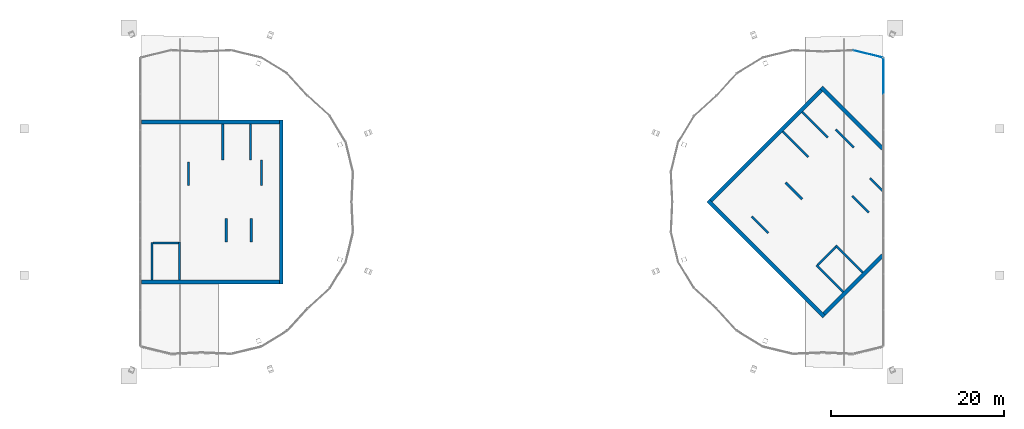
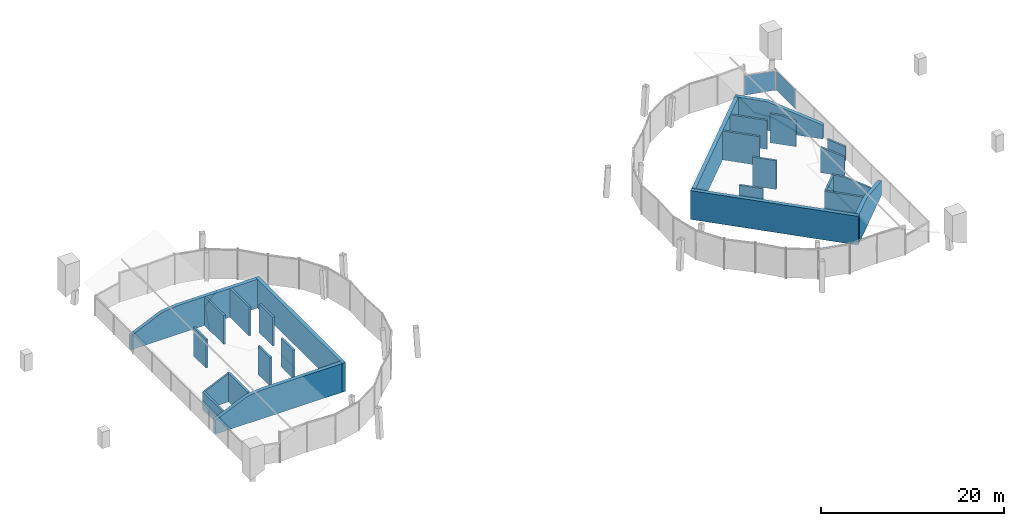
# One storey, part 13 of 14: 26 walls, 2 plates, 2 elements without a shape of their own.
"""IFC4 building model written with IfcOpenShell, lengths in metres."""

from ifc_helpers import new_model, si_unit, direction, frame, origin, origin_2d, place, context, subcontext, project, spatial, polyline, rectangle, outline, extrude, material, layer, layer_set, type_object, element, aggregate, save


model = new_model("IFC4")

# Units and contexts
model_context = context("Model", 3, precision=1e-05, world=origin(), true_north=direction((0.0, 1.0)))
body_context = subcontext(model_context, "Body", "Model", "MODEL_VIEW")
ifc_project = project(units=[si_unit("LENGTHUNIT", "METRE"), si_unit("AREAUNIT", "SQUARE_METRE"), si_unit("VOLUMEUNIT", "CUBIC_METRE"), si_unit("PLANEANGLEUNIT", "RADIAN"), si_unit("MASSUNIT", "GRAM", prefix="KILO")], contexts=[model_context])

# Site, building, storey
site_placement = place(None, origin())
site = spatial("IfcSite", under=ifc_project, at=site_placement, CompositionType="ELEMENT")
building_placement = place(site_placement, origin())
building = spatial("IfcBuilding", under=site, at=building_placement, Name="Ogive Gate Towers", CompositionType="ELEMENT")
storey_placement = place(building_placement, frame((0.0, 0.0, 306.0)))
storey = spatial("IfcBuildingStorey", under=building, at=storey_placement, Name="L72", CompositionType="ELEMENT", Elevation=306.0)

# Curtain wall, plate
ifc_material_1 = material(Name="Pale metal aluminium", Category="aluminium")
curtain_wall_type = type_object("IfcCurtainWallType", Name="Crown lean wall", PredefinedType="NOTDEFINED", material=ifc_material_1)
curtain_wall_1_placement = place(storey_placement, origin())
curtain_wall_1 = element("IfcCurtainWall", 1, at=curtain_wall_1_placement, inside=storey, type_object=curtain_wall_type, Name="CW5 T2 ECW02", PredefinedType="NOTDEFINED")
ifc_material_2 = material(Name="Clear glass", Category="glass")
ifc_layer_1 = layer(ifc_material_2, 0.028076171875)
ifc_layer_set_1 = layer_set([ifc_layer_1], Name="Crown lean wall glass panel")
plate_type = type_object("IfcPlateType", Name="Crown lean wall glass panel", PredefinedType="CURTAIN_PANEL", material=ifc_layer_set_1)
plate_1_placement = place(storey_placement, frame((41.21240234375, 17.159423828125, -0.300048828125), z_axis=(0.0, 0.0, 1.0), x_axis=(0.971829520864, -0.23568492183, 0.0)))
plate_1 = element("IfcPlate", 2, at=plate_1_placement, type_object=plate_type, Name="CW5 glass panel", PredefinedType="CURTAIN_PANEL", context=body_context, shape_type="SweptSolid", body=[
    extrude(rectangle(XDim=3.50048828125, YDim=0.028076171875, at=origin_2d()), origin(), (0.0, 0.0, 1.0), 2.58154296875),
])
aggregate(curtain_wall_1, [plate_1])

curtain_wall_2_placement = place(storey_placement, origin())
curtain_wall_2 = element("IfcCurtainWall", 3, at=curtain_wall_2_placement, inside=storey, type_object=curtain_wall_type, Name="CW5 T2 ECW02b", PredefinedType="NOTDEFINED")
plate_2_placement = place(storey_placement, frame((43.029296875, 14.5986328125, -0.300048828125), z_axis=(0.0, 0.0, 1.0), x_axis=(0.0, -1.0, 0.0)))
plate_2 = element("IfcPlate", 4, at=plate_2_placement, type_object=plate_type, Name="CW5 glass panel", PredefinedType="CURTAIN_PANEL", context=body_context, shape_type="SweptSolid", body=[
    extrude(rectangle(XDim=4.126953125, YDim=0.028076171875, at=origin_2d()), origin(), (0.0, 0.0, 1.0), 2.583984375),
])
aggregate(curtain_wall_2, [plate_2])

# Walls
ifc_material_3 = material(Name="Concrete C60/75", Category="concrete")
ifc_layer_2 = layer(ifc_material_3, 0.449951171875)
ifc_layer_set_2 = layer_set([ifc_layer_2], Name="Core wall 450 mm")
wall_type_1 = type_object("IfcWallType", Name="Core wall 450 mm", PredefinedType="SHEAR", material=ifc_layer_set_2)
for number, where, z_axis, x_axis, name in (
    (5, (-42.929443359375, -9.27490234375, -0.300048828125), (0.0, 0.0, 1.0), (1.0, 0.0, 0.0), "T1 L72 Core wall 450 mm"),
    (6, (-42.929443359375, 9.27490234375, -0.300048828125), (0.0, 0.0, 1.0), (1.0, 0.0, 0.0), "T1 L72 Core wall 450 mm"),
):
    element("IfcWall", number, at=place(storey_placement, frame(where, z_axis=z_axis, x_axis=x_axis)), inside=storey, type_object=wall_type_1, Name=name, PredefinedType="SHEAR", context=body_context, shape_type="SweptSolid", body=[
        extrude(outline(polyline([(0.0, 0.0), (15.9794921875, 0.0), (15.9794921875, 3.85009765625), (13.98193359375, 3.85009765625), (11.984619140625, 3.85009765625), (9.987060546875, 3.85009765625), (7.98974609375, 3.85009765625), (5.9921875, 3.85009765625), (3.994873046875, 3.63720703125), (1.997314453125, 2.74365234375), (0.0, 1.85009765625), (0.0, 0.0)])), frame((0.0, 0.22509765625, 0.0), z_axis=(0.0, -1.0, 0.0), x_axis=(1.0, 0.0, 0.0)), (0.0, 0.0, 1.0), 0.449951171875),
    ])
wall_1_placement = place(storey_placement, frame((-26.72509765625, -9.5, -0.300048828125), z_axis=(0.0, 0.0, 1.0), x_axis=(0.0, 1.0, 0.0)))
element("IfcWall", 7, at=wall_1_placement, inside=storey, type_object=wall_type_1, Name="T1 L72 Core wall 450 mm", PredefinedType="SHEAR", context=body_context, shape_type="SweptSolid", body=[
    extrude(outline(polyline([(0.0, 0.0), (19.0, 0.0), (19.0, 3.85009765625), (16.625, 3.85009765625), (14.25, 3.85009765625), (11.875, 3.85009765625), (9.5, 3.85009765625), (7.125, 3.85009765625), (4.75, 3.85009765625), (2.375, 3.85009765625), (0.0, 3.85009765625), (0.0, 0.0)])), frame((0.0, 0.22509765625, 0.0), z_axis=(0.0, -1.0, 0.0), x_axis=(1.0, 0.0, 0.0)), (0.0, 0.0, 1.0), 0.449951171875),
])
wall_2_placement = place(storey_placement, frame((36.1591796875, -12.957763671875, -0.300048828125), z_axis=(0.0, 0.0, 1.0), x_axis=(0.707106781187, 0.707106781187, 0.0)))
element("IfcWall", 8, at=wall_2_placement, inside=storey, type_object=wall_type_1, Name="T2 L72 Core wall 450 mm", PredefinedType="SHEAR", context=body_context, shape_type="SweptSolid", body=[
    extrude(outline(polyline([(0.0, 0.0), (9.57470703125, 0.0), (9.57470703125, 1.85009765625), (8.377685546875, 2.228759765625), (7.180908203125, 2.607177734375), (5.984130859375, 2.98583984375), (4.787353515625, 3.364501953125), (3.590576171875, 3.7431640625), (2.393798828125, 3.85009765625), (1.19677734375, 3.85009765625), (0.0, 3.85009765625), (0.0, 0.0)])), frame((0.0, 0.22509765625, 0.0), z_axis=(0.0, -1.0, 0.0), x_axis=(1.0, 0.0, 0.0)), (0.0, 0.0, 1.0), 0.449951171875),
])
wall_3_placement = place(storey_placement, frame((23.042236328125, 0.1591796875, -0.300048828125), z_axis=(0.0, 0.0, 1.0), x_axis=(0.707106781187, 0.707106781187, 0.0)))
element("IfcWall", 9, at=wall_3_placement, inside=storey, type_object=wall_type_1, Name="T2 L72 Core wall 450 mm", PredefinedType="SHEAR", context=body_context, shape_type="SweptSolid", body=[
    extrude(outline(polyline([(0.0, 0.0), (18.099853515625, 0.0), (18.10009765625, 3.85009765625), (15.83740234375, 3.85009765625), (13.574951171875, 3.85009765625), (11.3125, 3.85009765625), (9.050048828125, 3.85009765625), (6.78759765625, 3.85009765625), (4.52490234375, 3.85009765625), (2.262451171875, 3.85009765625), (0.0, 3.85009765625), (0.0, 0.0)])), frame((0.0, 0.22509765625, 0.0), z_axis=(0.0, -1.0, 0.0), x_axis=(1.0, 0.0, 0.0)), (0.0, 0.0, 1.0), 0.449951171875),
])
wall_4_placement = place(storey_placement, frame((36.1591796875, -13.27587890625, -0.300048828125), z_axis=(0.0, 0.0, 1.0), x_axis=(-0.707106781187, 0.707106781187, 0.0)))
element("IfcWall", 10, at=wall_4_placement, inside=storey, type_object=wall_type_1, Name="T2 L72 Core wall 450 mm", PredefinedType="SHEAR", context=body_context, shape_type="SweptSolid", body=[
    extrude(outline(polyline([(0.0, 0.0), (19.0, 0.0), (19.0, 3.85009765625), (16.625, 3.85009765625), (14.25, 3.85009765625), (11.875, 3.85009765625), (9.5, 3.85009765625), (7.125, 3.85009765625), (4.75, 3.85009765625), (2.375, 3.85009765625), (0.0, 3.85009765625), (0.0, 0.0)])), frame((0.0, 0.22509765625, 0.0), z_axis=(0.0, -1.0, 0.0), x_axis=(1.0, 0.0, 0.0)), (0.0, 0.0, 1.0), 0.449951171875),
])
wall_5_placement = place(storey_placement, frame((42.929443359375, 6.1875, -0.300048828125), z_axis=(0.0, 0.0, 1.0), x_axis=(-0.707118958091, 0.707094604072, 0.0)))
element("IfcWall", 11, at=wall_5_placement, inside=storey, type_object=wall_type_1, Name="T2 L72 Core wall 450 mm", PredefinedType="SHEAR", context=body_context, shape_type="SweptSolid", body=[
    extrude(outline(polyline([(0.0, 0.0), (10.024658203125, 0.0), (10.024658203125, 3.85009765625), (8.771484375, 3.85009765625), (7.5185546875, 3.85009765625), (6.265380859375, 3.83203125), (5.01220703125, 3.435546875), (3.75927734375, 3.039306640625), (2.506103515625, 2.642822265625), (1.253173828125, 2.246337890625), (0.0, 1.85009765625), (0.0, 0.0)])), frame((0.0, 0.22509765625, 0.0), z_axis=(0.0, -1.0, 0.0), x_axis=(1.0, 0.0, 0.0)), (0.0, 0.0, 1.0), 0.449951171875),
])
ifc_layer_3 = layer(ifc_material_3, 0.25)
ifc_layer_set_3 = layer_set([ifc_layer_3], Name="Shaft wall 250 mm")
wall_type_2 = type_object("IfcWallType", Name="Shaft wall 250 mm", PredefinedType="SHEAR", material=ifc_layer_set_3)
wall_6_placement = place(storey_placement, frame((-41.574951171875, -4.75, -0.300048828125), z_axis=(0.0, 0.0, 1.0), x_axis=(1.0, 0.0, 0.0)))
element("IfcWall", 12, at=wall_6_placement, inside=storey, type_object=wall_type_2, Name="T1 L72 Shaft wall 250 mm", PredefinedType="SHEAR", context=body_context, shape_type="SweptSolid", body=[
    extrude(outline(polyline([(0.0, 0.0), (2.949951171875, 0.0), (2.949951171875, 3.775634765625), (2.581298828125, 3.61083984375), (2.21240234375, 3.44580078125), (1.84375, 3.28076171875), (1.47509765625, 3.115966796875), (1.106201171875, 2.950927734375), (0.737548828125, 2.785888671875), (0.368896484375, 2.620849609375), (0.0, 2.4560546875), (0.0, 0.0)])), frame((0.0, 0.125, 0.0), z_axis=(0.0, -1.0, 0.0), x_axis=(1.0, 0.0, 0.0)), (0.0, 0.0, 1.0), 0.25),
])
wall_7_placement = place(storey_placement, frame((-41.699951171875, -9.050048828125, -0.300048828125), z_axis=(0.0, 0.0, 1.0), x_axis=(0.0, 1.0, 0.0)))
element("IfcWall", 13, at=wall_7_placement, inside=storey, type_object=wall_type_2, Name="T1 L72 Shaft wall 250 mm", PredefinedType="SHEAR", context=body_context, shape_type="SweptSolid", body=[
    extrude(outline(polyline([(0.0, 0.0), (4.375, 0.0), (4.375, 2.400146484375), (3.828125, 2.400146484375), (3.28125, 2.400146484375), (2.734375, 2.400146484375), (2.1875, 2.400146484375), (1.640625, 2.400146484375), (1.09375, 2.400146484375), (0.546875, 2.400146484375), (0.0, 2.400146484375), (0.0, 0.0)])), frame((0.0, 0.125, 0.0), z_axis=(0.0, -1.0, 0.0), x_axis=(1.0, 0.0, 0.0)), (0.0, 0.0, 1.0), 0.25),
])
wall_8_placement = place(storey_placement, frame((-38.5, -9.050048828125, -0.300048828125), z_axis=(0.0, 0.0, 1.0), x_axis=(0.0, 1.0, 0.0)))
element("IfcWall", 14, at=wall_8_placement, inside=storey, type_object=wall_type_2, Name="T1 L72 Shaft wall 250 mm", PredefinedType="SHEAR", context=body_context, shape_type="SweptSolid", body=[
    extrude(outline(polyline([(0.0, 0.0), (4.425048828125, 0.0), (4.425048828125, 3.83154296875), (3.871826171875, 3.83154296875), (3.31884765625, 3.83154296875), (2.765625, 3.83154296875), (2.21240234375, 3.83154296875), (1.659423828125, 3.83154296875), (1.106201171875, 3.83154296875), (0.552978515625, 3.83154296875), (0.0, 3.83154296875), (0.0, 0.0)])), frame((0.0, 0.125, 0.0), z_axis=(0.0, -1.0, 0.0), x_axis=(1.0, 0.0, 0.0)), (0.0, 0.0, 1.0), 0.25),
])
wall_9_placement = place(storey_placement, frame((-37.449951171875, 1.925048828125, -0.300048828125), z_axis=(0.0, 0.0, 1.0), x_axis=(0.0, 1.0, 0.0)))
element("IfcWall", 15, at=wall_9_placement, inside=storey, type_object=wall_type_2, Name="T1 L72 Shaft wall 250 mm", PredefinedType="SHEAR", context=body_context, shape_type="SweptSolid", body=[
    extrude(outline(polyline([(0.0, 0.0), (2.699951171875, 0.0), (2.699951171875, 3.85009765625), (2.362548828125, 3.85009765625), (2.02490234375, 3.85009765625), (1.6875, 3.85009765625), (1.35009765625, 3.85009765625), (1.012451171875, 3.85009765625), (0.675048828125, 3.85009765625), (0.33740234375, 3.85009765625), (0.0, 3.85009765625), (0.0, 0.0)])), frame((0.0, 0.125, 0.0), z_axis=(0.0, -1.0, 0.0), x_axis=(1.0, 0.0, 0.0)), (0.0, 0.0, 1.0), 0.25),
])
wall_10_placement = place(storey_placement, frame((-33.5, 4.875, -0.300048828125), z_axis=(0.0, 0.0, 1.0), x_axis=(0.0, 1.0, 0.0)))
element("IfcWall", 16, at=wall_10_placement, inside=storey, type_object=wall_type_2, Name="T1 L72 Shaft wall 250 mm", PredefinedType="SHEAR", context=body_context, shape_type="SweptSolid", body=[
    extrude(outline(polyline([(0.0, 0.0), (4.175048828125, 0.0), (4.175048828125, 3.85009765625), (3.653076171875, 3.85009765625), (3.13134765625, 3.85009765625), (2.609375, 3.85009765625), (2.08740234375, 3.85009765625), (1.565673828125, 3.85009765625), (1.043701171875, 3.85009765625), (0.52197265625, 3.85009765625), (0.0, 3.85009765625), (0.0, 0.0)])), frame((0.0, 0.125, 0.0), z_axis=(0.0, -1.0, 0.0), x_axis=(1.0, 0.0, 0.0)), (0.0, 0.0, 1.0), 0.25),
])
wall_11_placement = place(storey_placement, frame((-33.10009765625, -4.625, -0.300048828125), z_axis=(0.0, 0.0, 1.0), x_axis=(0.0, 1.0, 0.0)))
element("IfcWall", 17, at=wall_11_placement, inside=storey, type_object=wall_type_2, Name="T1 L72 Shaft wall 250 mm", PredefinedType="SHEAR", context=body_context, shape_type="SweptSolid", body=[
    extrude(outline(polyline([(0.0, 0.0), (2.699951171875, 0.0), (2.699951171875, 3.85009765625), (2.362548828125, 3.85009765625), (2.02490234375, 3.85009765625), (1.6875, 3.85009765625), (1.35009765625, 3.85009765625), (1.012451171875, 3.85009765625), (0.675048828125, 3.85009765625), (0.33740234375, 3.85009765625), (0.0, 3.85009765625), (0.0, 0.0)])), frame((0.0, 0.125, 0.0), z_axis=(0.0, -1.0, 0.0), x_axis=(1.0, 0.0, 0.0)), (0.0, 0.0, 1.0), 0.25),
])
wall_12_placement = place(storey_placement, frame((-30.300048828125, 4.875, -0.300048828125), z_axis=(0.0, 0.0, 1.0), x_axis=(0.0, 1.0, 0.0)))
element("IfcWall", 18, at=wall_12_placement, inside=storey, type_object=wall_type_2, Name="T1 L72 Shaft wall 250 mm", PredefinedType="SHEAR", context=body_context, shape_type="SweptSolid", body=[
    extrude(outline(polyline([(0.0, 0.0), (4.175048828125, 0.0), (4.175048828125, 3.85009765625), (3.653076171875, 3.85009765625), (3.13134765625, 3.85009765625), (2.609375, 3.85009765625), (2.08740234375, 3.85009765625), (1.565673828125, 3.85009765625), (1.043701171875, 3.85009765625), (0.52197265625, 3.85009765625), (0.0, 3.85009765625), (0.0, 0.0)])), frame((0.0, 0.125, 0.0), z_axis=(0.0, -1.0, 0.0), x_axis=(1.0, 0.0, 0.0)), (0.0, 0.0, 1.0), 0.25),
])
wall_13_placement = place(storey_placement, frame((-30.199951171875, -4.625, -0.300048828125), z_axis=(0.0, 0.0, 1.0), x_axis=(0.0, 1.0, 0.0)))
element("IfcWall", 19, at=wall_13_placement, inside=storey, type_object=wall_type_2, Name="T1 L72 Shaft wall 250 mm", PredefinedType="SHEAR", context=body_context, shape_type="SweptSolid", body=[
    extrude(outline(polyline([(0.0, 0.0), (2.699951171875, 0.0), (2.699951171875, 3.85009765625), (2.362548828125, 3.85009765625), (2.02490234375, 3.85009765625), (1.6875, 3.85009765625), (1.35009765625, 3.85009765625), (1.012451171875, 3.85009765625), (0.675048828125, 3.85009765625), (0.33740234375, 3.85009765625), (0.0, 3.85009765625), (0.0, 0.0)])), frame((0.0, 0.125, 0.0), z_axis=(0.0, -1.0, 0.0), x_axis=(1.0, 0.0, 0.0)), (0.0, 0.0, 1.0), 0.25),
])
wall_14_placement = place(storey_placement, frame((-29.0, 1.925048828125, -0.300048828125), z_axis=(0.0, 0.0, 1.0), x_axis=(0.0, 1.0, 0.0)))
element("IfcWall", 20, at=wall_14_placement, inside=storey, type_object=wall_type_2, Name="T1 L72 Shaft wall 250 mm", PredefinedType="SHEAR", context=body_context, shape_type="SweptSolid", body=[
    extrude(outline(polyline([(0.0, 0.0), (2.949951171875, 0.0), (2.949951171875, 3.85009765625), (2.581298828125, 3.85009765625), (2.21240234375, 3.85009765625), (1.84375, 3.85009765625), (1.47509765625, 3.85009765625), (1.106201171875, 3.85009765625), (0.737548828125, 3.85009765625), (0.368896484375, 3.85009765625), (0.0, 3.85009765625), (0.0, 0.0)])), frame((0.0, 0.125, 0.0), z_axis=(0.0, -1.0, 0.0), x_axis=(1.0, 0.0, 0.0)), (0.0, 0.0, 1.0), 0.25),
])
wall_15_placement = place(storey_placement, frame((35.41650390625, -7.30078125, -0.300048828125), z_axis=(0.0, 0.0, 1.0), x_axis=(0.707148157867, 0.707065402085, 0.0)))
element("IfcWall", 21, at=wall_15_placement, inside=storey, type_object=wall_type_2, Name="T2 L72 Shaft wall 250 mm", PredefinedType="SHEAR", context=body_context, shape_type="SweptSolid", body=[
    extrude(outline(polyline([(0.0, 0.0), (2.9501953125, 0.0), (2.949951171875, 3.85009765625), (2.581298828125, 3.85009765625), (2.21240234375, 3.85009765625), (1.84375, 3.85009765625), (1.47509765625, 3.85009765625), (1.106201171875, 3.85009765625), (0.737548828125, 3.85009765625), (0.368896484375, 3.85009765625), (0.0, 3.85009765625), (0.0, 0.0)])), frame((0.0, 0.125, 0.0), z_axis=(0.0, -1.0, 0.0), x_axis=(1.0, 0.0, 0.0)), (0.0, 0.0, 1.0), 0.25),
])
wall_16_placement = place(storey_placement, frame((29.689208984375, -3.588623046875, -0.300048828125), z_axis=(0.0, 0.0, 1.0), x_axis=(-0.707151988282, 0.707061571201, 0.0)))
element("IfcWall", 22, at=wall_16_placement, inside=storey, type_object=wall_type_2, Name="T2 L72 Shaft wall 250 mm", PredefinedType="SHEAR", context=body_context, shape_type="SweptSolid", body=[
    extrude(outline(polyline([(0.0, 0.0), (2.7001953125, 0.0), (2.699951171875, 3.85009765625), (2.362548828125, 3.85009765625), (2.02490234375, 3.85009765625), (1.6875, 3.85009765625), (1.35009765625, 3.85009765625), (1.012451171875, 3.85009765625), (0.675048828125, 3.85009765625), (0.33740234375, 3.85009765625), (0.0, 3.85009765625), (0.0, 0.0)])), frame((0.0, 0.125, 0.0), z_axis=(0.0, -1.0, 0.0), x_axis=(1.0, 0.0, 0.0)), (0.0, 0.0, 1.0), 0.25),
])
wall_17_placement = place(storey_placement, frame((38.368896484375, -10.4296875, -0.300048828125), z_axis=(0.0, 0.0, 1.0), x_axis=(-0.707134682099, 0.707078879173, 0.0)))
element("IfcWall", 23, at=wall_17_placement, inside=storey, type_object=wall_type_2, Name="T2 L72 Shaft wall 250 mm", PredefinedType="SHEAR", context=body_context, shape_type="SweptSolid", body=[
    extrude(outline(polyline([(0.0, 0.0), (4.375, 0.0), (4.375, 3.85009765625), (3.828125, 3.85009765625), (3.28125, 3.85009765625), (2.734375, 3.85009765625), (2.1875, 3.85009765625), (1.640625, 3.85009765625), (1.09375, 3.85009765625), (0.546875, 3.85009765625), (0.0, 3.85009765625), (0.0, 0.0)])), frame((0.0, 0.125, 0.0), z_axis=(0.0, -1.0, 0.0), x_axis=(1.0, 0.0, 0.0)), (0.0, 0.0, 1.0), 0.25),
])
wall_18_placement = place(storey_placement, frame((40.631591796875, -8.1669921875, -0.300048828125), z_axis=(0.0, 0.0, 1.0), x_axis=(-0.707106781187, 0.707106781187, 0.0)))
element("IfcWall", 24, at=wall_18_placement, inside=storey, type_object=wall_type_2, Name="T2 L72 Shaft wall 250 mm", PredefinedType="SHEAR", context=body_context, shape_type="SweptSolid", body=[
    extrude(outline(polyline([(0.0, 0.0), (4.425048828125, 0.0), (4.425048828125, 3.85009765625), (3.871826171875, 3.85009765625), (3.31884765625, 3.85009765625), (2.765625, 3.7529296875), (2.21240234375, 3.577880859375), (1.659423828125, 3.40283203125), (1.106201171875, 3.22802734375), (0.552978515625, 3.052978515625), (0.0, 2.8779296875), (0.0, 0.0)])), frame((0.0, 0.125, 0.0), z_axis=(0.0, -1.0, 0.0), x_axis=(1.0, 0.0, 0.0)), (0.0, 0.0, 1.0), 0.25),
])
wall_19_placement = place(storey_placement, frame((33.613525390625, 0.3359375, -0.300048828125), z_axis=(0.0, 0.0, 1.0), x_axis=(-0.707106781187, 0.707106781187, 0.0)))
element("IfcWall", 25, at=wall_19_placement, inside=storey, type_object=wall_type_2, Name="T2 L72 Shaft wall 250 mm", PredefinedType="SHEAR", context=body_context, shape_type="SweptSolid", body=[
    extrude(outline(polyline([(0.0, 0.0), (2.699951171875, 0.0), (2.699951171875, 3.85009765625), (2.362548828125, 3.85009765625), (2.02490234375, 3.85009765625), (1.6875, 3.85009765625), (1.35009765625, 3.85009765625), (1.012451171875, 3.85009765625), (0.675048828125, 3.85009765625), (0.33740234375, 3.85009765625), (0.0, 3.85009765625), (0.0, 0.0)])), frame((0.0, 0.125, 0.0), z_axis=(0.0, -1.0, 0.0), x_axis=(1.0, 0.0, 0.0)), (0.0, 0.0, 1.0), 0.25),
])
wall_20_placement = place(storey_placement, frame((34.320556640625, 5.21484375, -0.300048828125), z_axis=(0.0, 0.0, 1.0), x_axis=(-0.707106781187, 0.707106781187, 0.0)))
element("IfcWall", 26, at=wall_20_placement, inside=storey, type_object=wall_type_2, Name="T2 L72 Shaft wall 250 mm", PredefinedType="SHEAR", context=body_context, shape_type="SweptSolid", body=[
    extrude(outline(polyline([(0.0, 0.0), (4.175048828125, 0.0), (4.175048828125, 3.85009765625), (3.653076171875, 3.85009765625), (3.131103515625, 3.85009765625), (2.609375, 3.85009765625), (2.08740234375, 3.85009765625), (1.565673828125, 3.85009765625), (1.043701171875, 3.85009765625), (0.52197265625, 3.85009765625), (0.0, 3.85009765625), (0.0, 0.0)])), frame((0.0, 0.125, 0.0), z_axis=(0.0, -1.0, 0.0), x_axis=(1.0, 0.0, 0.0)), (0.0, 0.0, 1.0), 0.25),
])
wall_21_placement = place(storey_placement, frame((41.321044921875, -1.2197265625, -0.300048828125), z_axis=(0.0, 0.0, 1.0), x_axis=(-0.707106781187, 0.707106781187, 0.0)))
element("IfcWall", 27, at=wall_21_placement, inside=storey, type_object=wall_type_2, Name="T2 L72 Shaft wall 250 mm", PredefinedType="SHEAR", context=body_context, shape_type="SweptSolid", body=[
    extrude(outline(polyline([(0.0, 0.0), (2.699951171875, 0.0), (2.699951171875, 3.423828125), (2.362548828125, 3.31689453125), (2.02490234375, 3.210205078125), (1.6875, 3.103515625), (1.35009765625, 2.99658203125), (1.012451171875, 2.889892578125), (0.675048828125, 2.783203125), (0.33740234375, 2.67626953125), (0.0, 2.569580078125), (0.0, 0.0)])), frame((0.0, 0.125, 0.0), z_axis=(0.0, -1.0, 0.0), x_axis=(1.0, 0.0, 0.0)), (0.0, 0.0, 1.0), 0.25),
])
wall_22_placement = place(storey_placement, frame((36.58349609375, 7.477783203125, -0.300048828125), z_axis=(0.0, 0.0, 1.0), x_axis=(-0.707165256008, 0.707048301529, 0.0)))
element("IfcWall", 28, at=wall_22_placement, inside=storey, type_object=wall_type_2, Name="T2 L72 Shaft wall 250 mm", PredefinedType="SHEAR", context=body_context, shape_type="SweptSolid", body=[
    extrude(outline(polyline([(0.0, 0.0), (4.175048828125, 0.0), (4.175048828125, 3.85009765625), (3.653076171875, 3.85009765625), (3.131103515625, 3.85009765625), (2.609375, 3.85009765625), (2.08740234375, 3.85009765625), (1.565673828125, 3.85009765625), (1.043701171875, 3.85009765625), (0.52197265625, 3.85009765625), (0.0, 3.85009765625), (0.0, 0.0)])), frame((0.0, 0.125, 0.0), z_axis=(0.0, -1.0, 0.0), x_axis=(1.0, 0.0, 0.0)), (0.0, 0.0, 1.0), 0.25),
])
wall_23_placement = place(storey_placement, frame((42.929443359375, 1.273193359375, -0.300048828125), z_axis=(0.0, 0.0, 1.0), x_axis=(-0.707165620943, 0.707047936533, 0.0)))
element("IfcWall", 29, at=wall_23_placement, inside=storey, type_object=wall_type_2, Name="T2 L72 Shaft wall 250 mm", PredefinedType="SHEAR", context=body_context, shape_type="SweptSolid", body=[
    extrude(outline(polyline([(0.0, 0.0), (2.074462890625, 0.0), (2.07470703125, 2.50634765625), (1.815185546875, 2.42431640625), (1.555908203125, 2.34228515625), (1.296630859375, 2.26025390625), (1.037353515625, 2.17822265625), (0.778076171875, 2.09619140625), (0.518798828125, 2.01416015625), (0.25927734375, 1.93212890625), (0.0, 1.85009765625), (0.0, 0.0)])), frame((0.0, 0.125, 0.0), z_axis=(0.0, -1.0, 0.0), x_axis=(1.0, 0.0, 0.0)), (0.0, 0.0, 1.0), 0.25),
])
wall_24_placement = place(storey_placement, frame((39.588623046875, 6.310791015625, -0.300048828125), z_axis=(0.0, 0.0, 1.0), x_axis=(-0.707065402085, 0.707148157867, 0.0)))
element("IfcWall", 30, at=wall_24_placement, inside=storey, type_object=wall_type_2, Name="T2 L72 Shaft wall 250 mm", PredefinedType="SHEAR", context=body_context, shape_type="SweptSolid", body=[
    extrude(outline(polyline([(0.0, 0.0), (2.9501953125, 0.0), (2.949951171875, 3.85009765625), (2.581298828125, 3.85009765625), (2.21240234375, 3.85009765625), (1.84375, 3.85009765625), (1.47509765625, 3.811279296875), (1.106201171875, 3.694580078125), (0.737548828125, 3.577880859375), (0.368896484375, 3.461181640625), (0.0, 3.3447265625), (0.0, 0.0)])), frame((0.0, 0.125, 0.0), z_axis=(0.0, -1.0, 0.0), x_axis=(1.0, 0.0, 0.0)), (0.0, 0.0, 1.0), 0.25),
])

save(model, "model.ifc")
